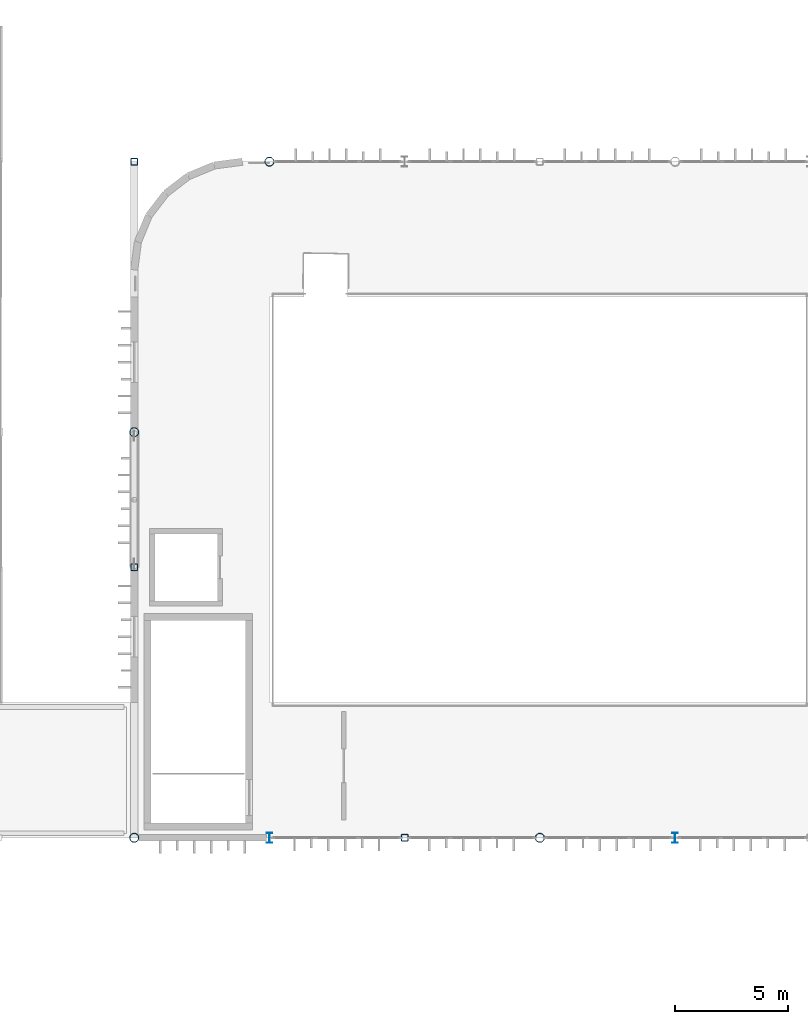
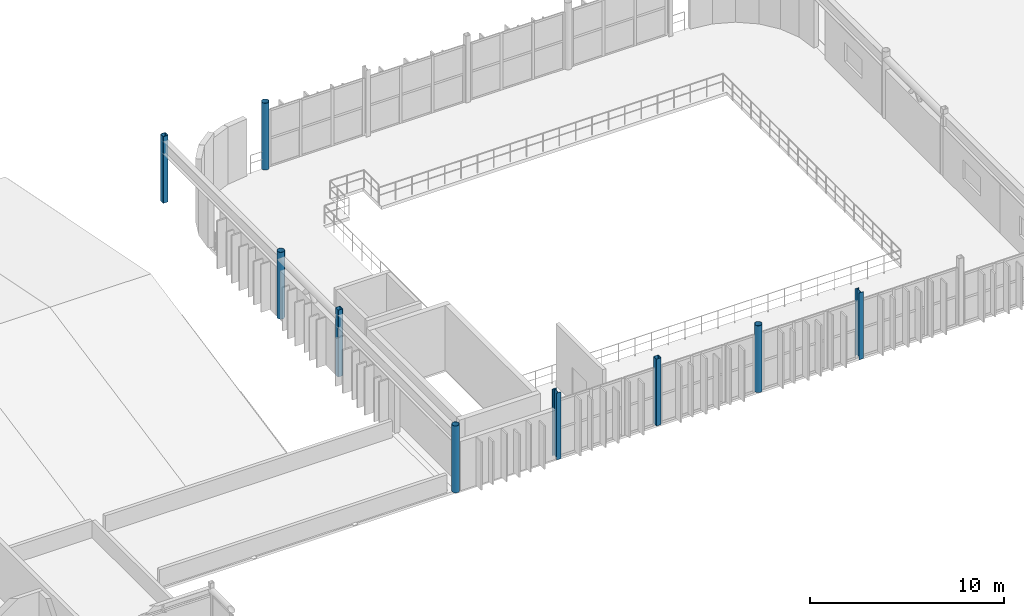
# One storey, part 7 of 83: 9 columns.
"""IFC4 building model written with IfcOpenShell, lengths in metres."""

from ifc_helpers import new_model, si_unit, direction, frame, origin, origin_2d, place, context, subcontext, project, spatial, hollow_rectangle, hollow_circle, i_section, extrude, material, material_profile, profile_set, type_object, element, save


model = new_model("IFC4")

# Units and contexts
model_context = context("Model", 3, precision=1e-05, world=origin(), true_north=direction((0.0, 1.0)))
body_context = subcontext(model_context, "Body", "Model", "MODEL_VIEW")
ifc_project = project(units=[si_unit("LENGTHUNIT", "METRE"), si_unit("AREAUNIT", "SQUARE_METRE"), si_unit("VOLUMEUNIT", "CUBIC_METRE"), si_unit("PLANEANGLEUNIT", "RADIAN"), si_unit("MASSUNIT", "GRAM", prefix="KILO")], contexts=[model_context])

# Site, building, storey
site_placement = place(None, origin())
site = spatial("IfcSite", under=ifc_project, at=site_placement, CompositionType="ELEMENT")
building_placement = place(site_placement, origin())
building = spatial("IfcBuilding", under=site, at=building_placement, Name="Varnakota Square Police Headquarters", CompositionType="ELEMENT")
storey_placement = place(building_placement, frame((0.0, 0.0, 18.0)))
storey = spatial("IfcBuildingStorey", under=building, at=storey_placement, Name="L04", CompositionType="ELEMENT", Elevation=18.0)

# Columns
ifc_material = material(Name="Steel IS 2062 Grade 350", Category="steel")
ifc_material_profile_1 = material_profile(ifc_material, hollow_circle(Radius=0.203125, WallThickness=0.01611328125, at=origin_2d()), Name="CHS 406.4x16.0")
ifc_profile_set_1 = profile_set([ifc_material_profile_1], Name="Steel IS 2062 Grade 350")
column_type_1 = type_object("IfcColumnType", Name="COL-CHS406", PredefinedType="COLUMN", material=ifc_profile_set_1)
for number, where, z_axis, x_axis, name in (
    (1, (60.0, 69.0, 0.0), (0.0, 0.0, 1.0), (1.0, 0.0, 0.0), "Column X0600-Y0690 L04"),
    (2, (60.0, 87.0, 0.0), (0.0, 0.0, 1.0), (1.0, 0.0, 0.0), "Column X0600-Y0870 L04"),
    (3, (66.0, 99.0, 0.0), (0.0, 0.0, 1.0), (1.0, 0.0, 0.0), "Column X0660-Y0990 L04"),
    (4, (78.0, 69.0, 0.0), (0.0, 0.0, 1.0), (1.0, 0.0, 0.0), "Column X0780-Y0690 L04"),
):
    element("IfcColumn", number, at=place(storey_placement, frame(where, z_axis=z_axis, x_axis=x_axis)), inside=storey, type_object=column_type_1, Name=name, PredefinedType="COLUMN", context=body_context, shape_type="SweptSolid", body=[
        extrude(hollow_circle(Radius=0.203125, WallThickness=0.01611328125, at=origin_2d()), origin(), (0.0, 0.0, 1.0), 4.199951171875),
    ])
ifc_material_profile_2 = material_profile(ifc_material, i_section(OverallWidth=0.25, OverallDepth=0.449951171875, WebThickness=0.01123046875, FlangeThickness=0.013671875, FilletRadius=0.014892578125, at=origin_2d()), Name="ISHB 450")
ifc_profile_set_2 = profile_set([ifc_material_profile_2], Name="Steel IS 2062 Grade 350")
column_type_2 = type_object("IfcColumnType", Name="COL-ISHB450", PredefinedType="COLUMN", material=ifc_profile_set_2)
for number, where, z_axis, x_axis, name in (
    (5, (66.0, 69.0, 0.0), (0.0, 0.0, 1.0), (1.0, 0.0, 0.0), "Column X0660-Y0690 L04"),
    (6, (84.0, 69.0, 0.0), (0.0, 0.0, 1.0), (1.0, 0.0, 0.0), "Column X0840-Y0690 L04"),
):
    element("IfcColumn", number, at=place(storey_placement, frame(where, z_axis=z_axis, x_axis=x_axis)), inside=storey, type_object=column_type_2, Name=name, PredefinedType="COLUMN", context=body_context, shape_type="SweptSolid", body=[
        extrude(i_section(OverallWidth=0.25, OverallDepth=0.449951171875, WebThickness=0.01123046875, FlangeThickness=0.013671875, FilletRadius=0.014892578125, at=origin_2d()), origin(), (0.0, 0.0, 1.0), 4.199951171875),
    ])
ifc_material_profile_3 = material_profile(ifc_material, hollow_rectangle(XDim=0.300048828125, YDim=0.300048828125, WallThickness=0.01611328125, InnerFilletRadius=0.01611328125, OuterFilletRadius=0.031982421875, at=origin_2d()), Name="SHS 300x300x16")
ifc_profile_set_3 = profile_set([ifc_material_profile_3], Name="Steel IS 2062 Grade 350")
column_type_3 = type_object("IfcColumnType", Name="COL-SHS300", PredefinedType="COLUMN", material=ifc_profile_set_3)
for number, where, z_axis, x_axis, name in (
    (7, (60.0, 81.0, 0.0), (0.0, 0.0, 1.0), (1.0, 0.0, 0.0), "Column X0600-Y0810 L04"),
    (8, (60.0, 99.0, 0.0), (0.0, 0.0, 1.0), (1.0, 0.0, 0.0), "Column X0600-Y0990 L04"),
    (9, (72.0, 69.0, 0.0), (0.0, 0.0, 1.0), (1.0, 0.0, 0.0), "Column X0720-Y0690 L04"),
):
    element("IfcColumn", number, at=place(storey_placement, frame(where, z_axis=z_axis, x_axis=x_axis)), inside=storey, type_object=column_type_3, Name=name, PredefinedType="COLUMN", context=body_context, shape_type="SweptSolid", body=[
        extrude(hollow_rectangle(XDim=0.300048828125, YDim=0.300048828125, WallThickness=0.01611328125, InnerFilletRadius=0.01611328125, OuterFilletRadius=0.031982421875, at=origin_2d()), origin(), (0.0, 0.0, 1.0), 4.199951171875),
    ])

save(model, "model.ifc")
